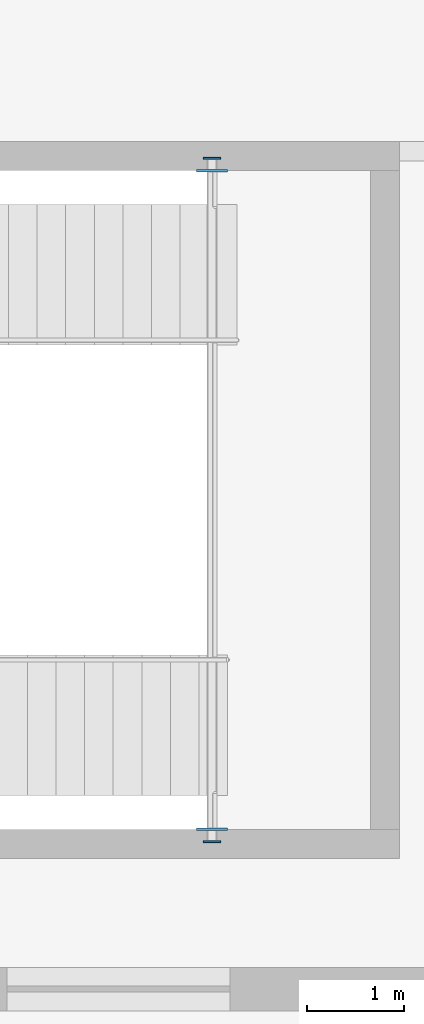
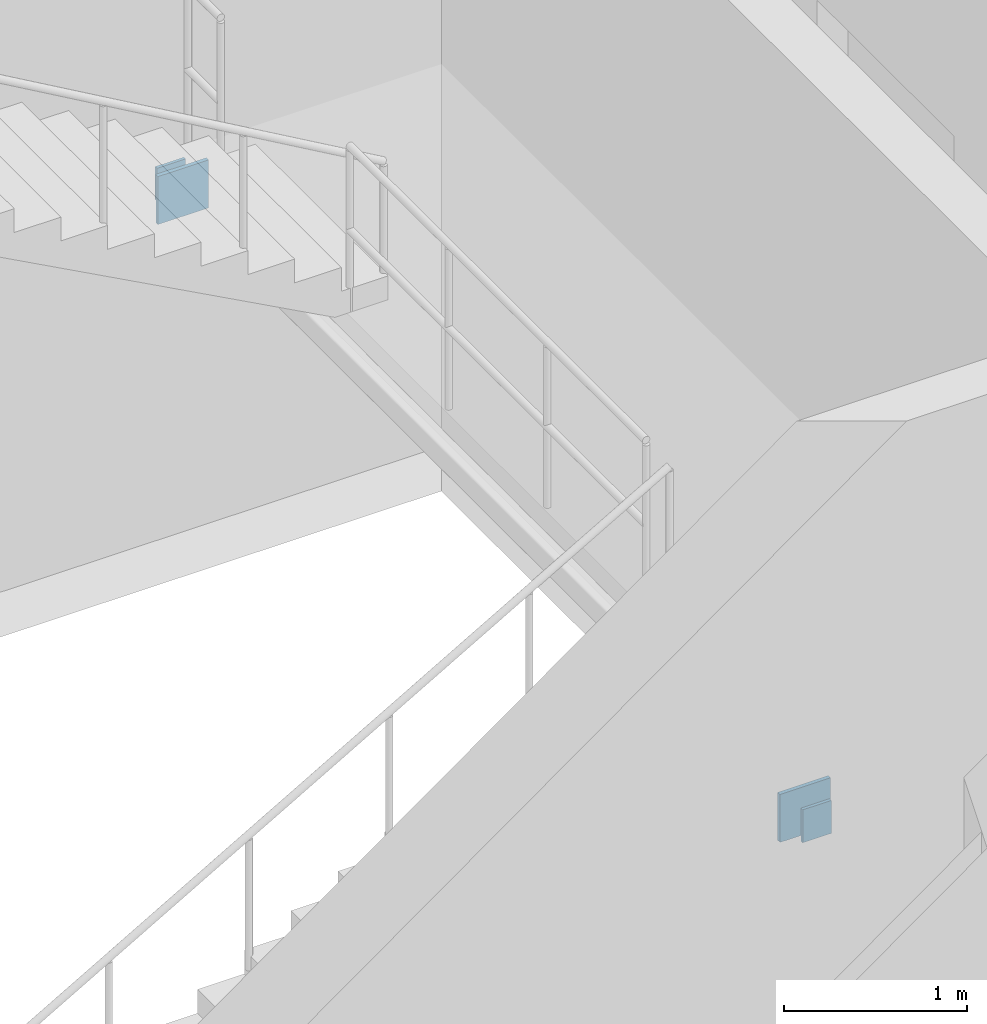
# One storey, part 35 of 68: 4 plates.
"""IFC4 building model written with IfcOpenShell, lengths in metres."""

import ifcopenshell
import ifcopenshell.guid

model = None  # the IFC model being written
_history = None  # IfcOwnerHistory: only IFC2X3 demands one
_inside = {}  # id of a spatial element -> (the spatial element, [elements in it])
_under = {}  # id of a project, library or spatial element -> (it, [spatial elements below it])
_declared = {}  # id of a project -> (the project, [libraries it declares])
_typed = {}  # id of a type object -> (the type object, [elements of that type])
_made_of = {}  # id of a material, layer set ... -> (it, [elements and type objects made of it])


def new_model(schema):
    """Start an empty IFC model of exactly this schema.

    Asked for "IFC4X3", IfcOpenShell would pick the latest addendum, in which some entities
    have other attributes; the version numbers below select the first issue.
    IFC2X3 requires an IfcOwnerHistory on every rooted entity: one is made here for all.
    """
    global model, _history
    if schema == "IFC4X3":
        model = ifcopenshell.file(schema_version=(4, 3, 0, 0))
    else:
        model = ifcopenshell.file(schema=schema)
    _inside.clear()
    _under.clear()
    _declared.clear()
    _typed.clear()
    _made_of.clear()
    _history = None
    if model.schema == "IFC2X3":
        org = make("IfcOrganization", Name="unknown")
        user = make(
            "IfcPersonAndOrganization",
            ThePerson=make("IfcPerson", FamilyName="unknown"),
            TheOrganization=org,
        )
        app = make(
            "IfcApplication",
            ApplicationDeveloper=org,
            Version="unknown",
            ApplicationFullName="unknown",
            ApplicationIdentifier="unknown",
        )
        _history = make(
            "IfcOwnerHistory",
            OwningUser=user,
            OwningApplication=app,
            ChangeAction="ADDED",
            CreationDate=0,
        )
    return model


def make(cls, **values):
    """One entity of the class cls with the attributes given. An attribute that is None is left unset."""
    return model.create_entity(
        cls, **{name: value for name, value in values.items() if value is not None}
    )


def rooted(cls, **values):
    """An entity with a GlobalId (a new one), such as an element, a storey or a relation."""
    return make(cls, GlobalId=ifcopenshell.guid.new(), OwnerHistory=_history, **values)


def si_unit(unit_type, name, prefix=None):
    """IfcSIUnit, for example si_unit("LENGTHUNIT", "METRE", prefix="MILLI")."""
    return make("IfcSIUnit", UnitType=unit_type, Prefix=prefix, Name=name)


def assignment(units):
    """IfcUnitAssignment: the units of a project."""
    return None if units is None else make("IfcUnitAssignment", Units=units)


def point(xyz):
    """IfcCartesianPoint."""
    return None if xyz is None else make("IfcCartesianPoint", Coordinates=xyz)


def direction(xyz):
    """IfcDirection."""
    return None if xyz is None else make("IfcDirection", DirectionRatios=xyz)


def frame(location, z_axis=None, x_axis=None):
    """IfcAxis2Placement3D, a coordinate frame: its origin and axes. An axis left out is left unset."""
    return make(
        "IfcAxis2Placement3D",
        Location=point(location),
        Axis=direction(z_axis),
        RefDirection=direction(x_axis),
    )


def frame_2d(location, x_axis=None):
    """IfcAxis2Placement2D, a coordinate frame in the plane: its origin and x axis."""
    return make(
        "IfcAxis2Placement2D", Location=point(location), RefDirection=direction(x_axis)
    )


def origin():
    """The frame at (0, 0, 0) with its axes left unset."""
    return frame((0.0, 0.0, 0.0))


def origin_2d():
    """The frame at (0, 0) in the plane with its x axis left unset."""
    return frame_2d((0.0, 0.0))


def place(relative_to, where):
    """IfcLocalPlacement: puts the frame where relative to a parent placement (None: the world)."""
    return make(
        "IfcLocalPlacement", PlacementRelTo=relative_to, RelativePlacement=where
    )


def context(
    kind, dimensions, precision=None, world=None, true_north=None, identifier=None
):
    """IfcGeometricRepresentationContext, for example the 3D "Model" context."""
    return make(
        "IfcGeometricRepresentationContext",
        ContextIdentifier=identifier,
        ContextType=kind,
        CoordinateSpaceDimension=dimensions,
        Precision=precision,
        WorldCoordinateSystem=world,
        TrueNorth=true_north,
    )


def subcontext(parent, identifier, kind, view, scale=None):
    """IfcGeometricRepresentationSubContext, for example "Body" below "Model"."""
    return make(
        "IfcGeometricRepresentationSubContext",
        ContextIdentifier=identifier,
        ContextType=kind,
        ParentContext=parent,
        TargetScale=scale,
        TargetView=view,
    )


def project(units=None, contexts=None):
    """IfcProject with its units and contexts."""
    return rooted(
        "IfcProject",
        Name="project",
        RepresentationContexts=contexts,
        UnitsInContext=assignment(units),
    )


def spatial(cls, under=None, at=None, **own):
    """A site, building, storey or space (cls), placed at a placement, below another one or the project."""
    s = rooted(cls, ObjectPlacement=at, **own)
    if under is not None:
        _under.setdefault(under.id(), (under, []))[1].append(s)
    return s


def profile(cls, at=None, kind="AREA", **sizes):
    """A parametric profile (cls). Its sizes go by their IFC names, for example OverallWidth=200.0."""
    return make(cls, ProfileType=kind, Position=at, **sizes)


def rectangle(**sizes):
    """IfcRectangleProfileDef."""
    return profile("IfcRectangleProfileDef", **sizes)


def extrude(swept, where, along, depth):
    """IfcExtrudedAreaSolid: the profile swept, set in the frame where, extruded along a direction by depth."""
    return make(
        "IfcExtrudedAreaSolid",
        SweptArea=swept,
        Position=where,
        ExtrudedDirection=direction(along),
        Depth=depth,
    )


def shape(context_of_items, identifier, shape_type, items):
    """IfcShapeRepresentation: the items that make up one representation, for example the "Body"."""
    return make(
        "IfcShapeRepresentation",
        ContextOfItems=context_of_items,
        RepresentationIdentifier=identifier,
        RepresentationType=shape_type,
        Items=items,
    )


def material(Name=None, Category=None):
    """IfcMaterial."""
    return make("IfcMaterial", Name=Name, Category=Category)


def layer(
    of_material, thickness, ventilated=None, Name=None, Category=None, Priority=None
):
    """IfcMaterialLayer: one layer of a wall or slab, of a material (None: an air gap)."""
    return make(
        "IfcMaterialLayer",
        Material=of_material,
        LayerThickness=thickness,
        IsVentilated=ventilated,
        Name=Name,
        Category=Category,
        Priority=Priority,
    )


def layer_set(layers, Name=None):
    """IfcMaterialLayerSet."""
    return make("IfcMaterialLayerSet", MaterialLayers=layers, LayerSetName=Name)


def made_of(thing, what):
    """Note that an element or type object is made of a material, layer set ...; save() writes the relation."""
    if what is not None:
        _made_of.setdefault(what.id(), (what, []))[1].append(thing)
    return thing


def type_object(cls, material=None, **own):
    """A type object (cls), such as IfcWallType, which elements share."""
    return made_of(rooted(cls, **own), material)


def element(
    cls,
    number,
    at=None,
    inside=None,
    cuts=None,
    type_object=None,
    material=None,
    context=None,
    identifier="Body",
    shape_type=None,
    held_by="IfcProductDefinitionShape",
    body=None,
    shapes=None,
    **own,
):
    """One element of the class cls, such as IfcWall. Its Tag is "e" and its number.

    at: its placement. inside: the storey or other place that contains it. cuts: it is an
    opening in that element (IfcRelVoidsElement). A single representation is given by context,
    identifier, shape_type and body (its items); several are given by shapes. held_by: the class
    of the entity that holds the representations. save() writes the other relations.
    """
    e = rooted(cls, Tag="e%d" % number, ObjectPlacement=at, **own)
    if body is not None:
        shapes = [shape(context, identifier, shape_type, body)]
    if shapes is not None:
        e.Representation = make(held_by, Representations=shapes)
    if inside is not None:
        _inside.setdefault(inside.id(), (inside, []))[1].append(e)
    if cuts is not None:
        rooted(
            "IfcRelVoidsElement", RelatingBuildingElement=cuts, RelatedOpeningElement=e
        )
    if type_object is not None:
        _typed.setdefault(type_object.id(), (type_object, []))[1].append(e)
    return made_of(e, material)


def aggregate(whole, parts):
    """IfcRelAggregates: a whole, such as a stair, and the parts it consists of."""
    return rooted("IfcRelAggregates", RelatingObject=whole, RelatedObjects=parts)


def save(model, path):
    """Write the relations noted so far, then the file.

    IfcRelAggregates (storeys below a building ...), IfcRelContainedInSpatialStructure (elements
    in a storey), IfcRelDefinesByType, IfcRelAssociatesMaterial and IfcRelDeclares: one each for
    every whole, place, type object, material and project.
    """
    for whole, parts in _under.values():
        aggregate(whole, parts)
    for where, things in _inside.values():
        rooted(
            "IfcRelContainedInSpatialStructure",
            RelatedElements=things,
            RelatingStructure=where,
        )
    for kind, things in _typed.values():
        rooted("IfcRelDefinesByType", RelatedObjects=things, RelatingType=kind)
    for what, things in _made_of.values():
        rooted("IfcRelAssociatesMaterial", RelatedObjects=things, RelatingMaterial=what)
    for by, libraries in _declared.values():
        rooted("IfcRelDeclares", RelatingContext=by, RelatedDefinitions=libraries)
    model.write(path)


model = new_model("IFC4")

# Units and contexts
model_context = context("Model", 3, precision=1e-05, world=origin(), true_north=direction((0.0, 1.0)))
body_context = subcontext(model_context, "Body", "Model", "MODEL_VIEW")
ifc_project = project(units=[si_unit("LENGTHUNIT", "METRE"), si_unit("AREAUNIT", "SQUARE_METRE"), si_unit("VOLUMEUNIT", "CUBIC_METRE"), si_unit("PLANEANGLEUNIT", "RADIAN"), si_unit("MASSUNIT", "GRAM", prefix="KILO"), si_unit("THERMODYNAMICTEMPERATUREUNIT", "KELVIN"), si_unit("POWERUNIT", "WATT")], contexts=[model_context])

# Site, building, storey
site_placement = place(None, origin())
site = spatial("IfcSite", under=ifc_project, at=site_placement, CompositionType="ELEMENT")
building_placement = place(site_placement, origin())
building = spatial("IfcBuilding", under=site, at=building_placement, Name="Solvatero Civic Police Headquarters", CompositionType="ELEMENT")
storey_placement = place(building_placement, origin())
storey = spatial("IfcBuildingStorey", under=building, at=storey_placement, Name="L00", CompositionType="ELEMENT", Elevation=0.0)

# Plates
ifc_material = material(Name="Steel S355", Category="steel")
ifc_layer_1 = layer(ifc_material, 0.02001953125)
ifc_layer_set_1 = layer_set([ifc_layer_1], Name="Steel S355")
plate_type_1 = type_object("IfcPlateType", Name="PLT-CAP-20", PredefinedType="SHEET", material=ifc_layer_set_1)
for number, where, z_axis, x_axis, name in (
    (1, (164.764892578125, 8.070068359375, 2.1650390625), (0.0, 0.0, 1.0), (1.0, 0.0, 0.0), "Hollow Section Cap Plate 0075"),
    (2, (164.764892578125, 15.1298828125, 2.1650390625), (0.0, 0.0, 1.0), (1.0, 0.0, 0.0), "Hollow Section Cap Plate 0076"),
):
    element("IfcPlate", number, at=place(storey_placement, frame(where, z_axis=z_axis, x_axis=x_axis)), inside=storey, type_object=plate_type_1, Name=name, PredefinedType="SHEET", context=body_context, shape_type="SweptSolid", body=[
        extrude(rectangle(XDim=0.179931640625, YDim=0.02001953125, at=origin_2d()), origin(), (0.0, 0.0, 1.0), 0.219970703125),
    ])
ifc_layer_2 = layer(ifc_material, 0.02490234375)
ifc_layer_set_2 = layer_set([ifc_layer_2], Name="Steel S355")
plate_type_2 = type_object("IfcPlateType", Name="PLT-EMB-25", PredefinedType="SHEET", material=ifc_layer_set_2)
for number, where, z_axis, x_axis, name in (
    (3, (164.764892578125, 8.199951171875, 2.11474609375), (0.0, 0.0, 1.0), (1.0, 0.0, 0.0), "Cast-In Shear Wall Embed Plate 0075"),
    (4, (164.764892578125, 15.0, 2.11474609375), (0.0, 0.0, 1.0), (1.0, 0.0, 0.0), "Cast-In Shear Wall Embed Plate 0076"),
):
    element("IfcPlate", number, at=place(storey_placement, frame(where, z_axis=z_axis, x_axis=x_axis)), inside=storey, type_object=plate_type_2, Name=name, PredefinedType="SHEET", context=body_context, shape_type="SweptSolid", body=[
        extrude(rectangle(XDim=0.320068359375, YDim=0.02490234375, at=origin_2d()), origin(), (0.0, 0.0, 1.0), 0.320068359375),
    ])

save(model, "model.ifc")
